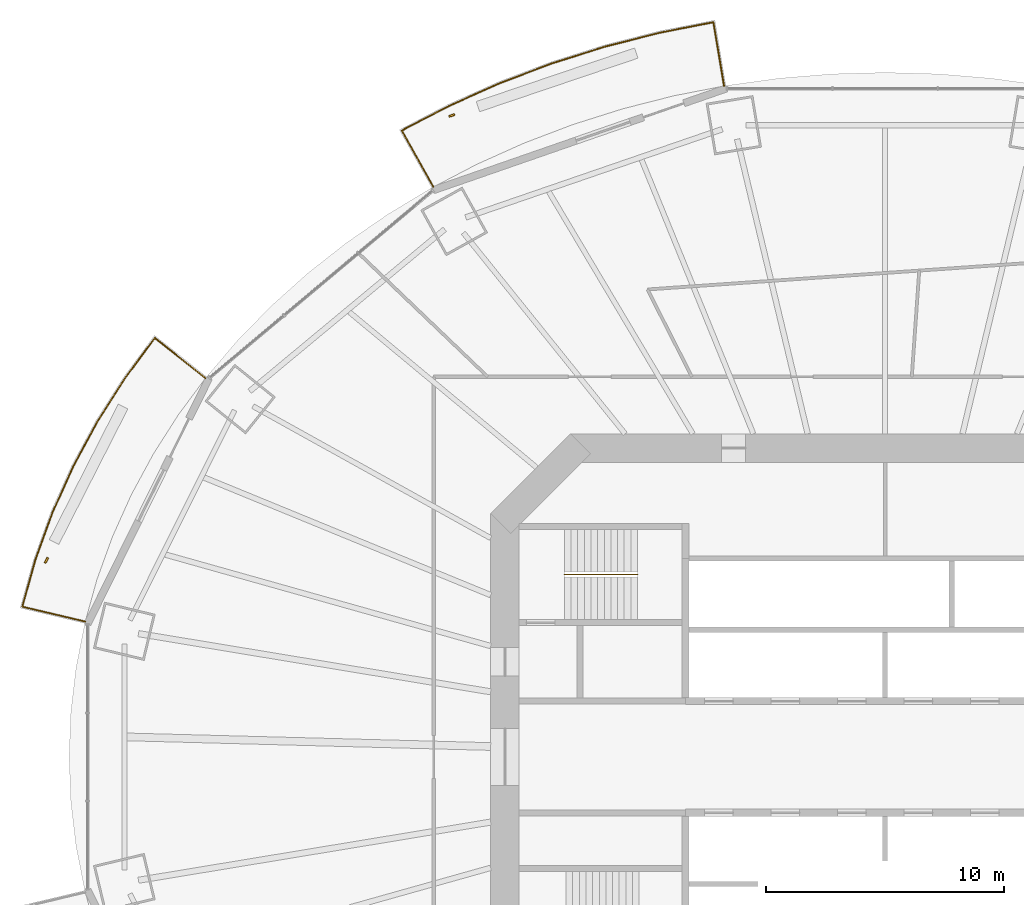
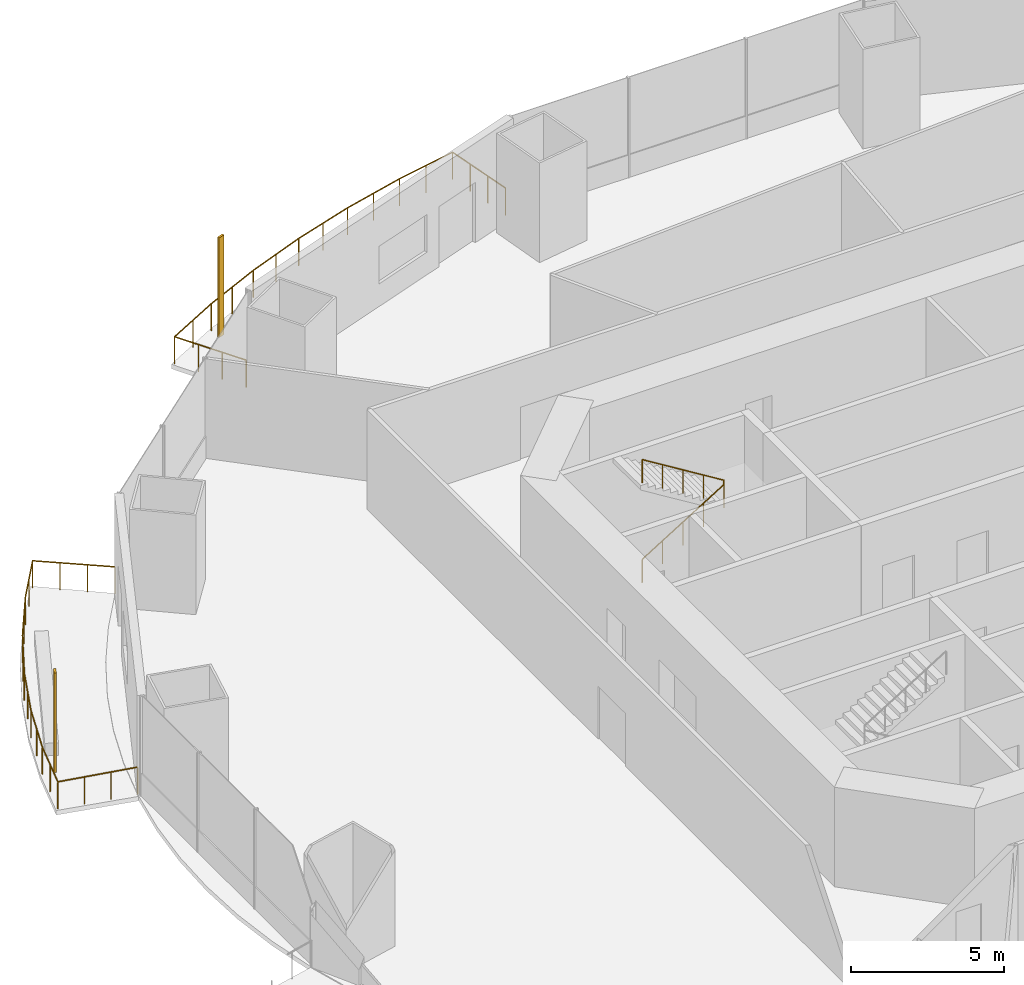
# One storey, part 19 of 22: 3 railings, 2 shading devices.
"""IFC4 building model written with IfcOpenShell, lengths in metres."""

from ifc_helpers import new_model, si_unit, direction, frame, origin, origin_2d, place, context, subcontext, project, spatial, rectangle, circle, extrude, material, material_profile, profile_set, type_object, element, save


model = new_model("IFC4")

# Units and contexts
model_context = context("Model", 3, precision=1e-05, world=origin(), true_north=direction((0.0, 1.0)))
body_context = subcontext(model_context, "Body", "Model", "MODEL_VIEW")
ifc_project = project(units=[si_unit("LENGTHUNIT", "METRE"), si_unit("AREAUNIT", "SQUARE_METRE"), si_unit("VOLUMEUNIT", "CUBIC_METRE"), si_unit("PLANEANGLEUNIT", "RADIAN"), si_unit("MASSUNIT", "GRAM", prefix="KILO")], contexts=[model_context])

# Site, building, storey
site_placement = place(None, origin())
site = spatial("IfcSite", under=ifc_project, at=site_placement, CompositionType="ELEMENT")
building_placement = place(site_placement, origin())
building = spatial("IfcBuilding", under=site, at=building_placement, Name="Marenthal Gate Tower", CompositionType="ELEMENT")
storey_placement = place(building_placement, frame((0.0, 0.0, 116.0)))
storey = spatial("IfcBuildingStorey", under=building, at=storey_placement, Name="L24", CompositionType="ELEMENT", Elevation=116.0)

# Railings
ifc_material_1 = material(Name="Stainless steel", Category="steel")
railing_type_1 = type_object("IfcRailingType", Name="Balcony guard 1100", PredefinedType="GUARDRAIL", material=ifc_material_1)
railing_1_placement = place(storey_placement, frame((-19.01171875, 23.9921875, 0.0)))
element("IfcRailing", 1, at=railing_1_placement, inside=storey, type_object=railing_type_1, Name="Balcony guard L24 bay 5", PredefinedType="GUARDRAIL", context=body_context, shape_type="SweptSolid", body=[
    extrude(circle(Radius=0.02392578125, at=origin_2d()), frame((0.0, 0.0, 1.076171875), z_axis=(-0.489197979897, 0.87204857286, -0.014718119373), x_axis=(-0.872143041114, -0.489250974283, 0.0)), (0.0, 0.0, 1.0), 2.720458984375),
    extrude(circle(Radius=0.02392578125, at=origin_2d()), frame((-1.330810546875, 2.372314453125, 1.0361328125), z_axis=(0.887125590865, 0.461528098855, 0.0), x_axis=(-0.461528098855, 0.887125590865, 0.0)), (0.0, 0.0, 1.0), 2.235595703125),
    extrude(circle(Radius=0.02392578125, at=origin_2d()), frame((0.65234375, 3.404052734375, 1.0361328125), z_axis=(0.912494502903, 0.409088966083, 0.0), x_axis=(-0.409088966083, 0.912494502903, 0.0)), (0.0, 0.0, 1.0), 2.332275390625),
    extrude(circle(Radius=0.02392578125, at=origin_2d()), frame((2.780517578125, 4.358154296875, 1.0361328125), z_axis=(0.934764240257, 0.35526865206, 0.0), x_axis=(-0.35526865206, 0.934764240257, 0.0)), (0.0, 0.0, 1.0), 2.347412109375),
    extrude(circle(Radius=0.02392578125, at=origin_2d()), frame((4.974853515625, 5.192138671875, 1.0361328125), z_axis=(0.953609232067, 0.30104722639, 0.0), x_axis=(-0.30104722639, 0.953609232067, 0.0)), (0.0, 0.0, 1.0), 2.36083984375),
    extrude(circle(Radius=0.02392578125, at=origin_2d()), frame((7.22607421875, 5.90283203125, 1.0361328125), z_axis=(0.969104776695, 0.246649410675, 0.0), x_axis=(-0.246649410675, 0.969104776695, 0.0)), (0.0, 0.0, 1.0), 2.37255859375),
    extrude(circle(Radius=0.02392578125, at=origin_2d()), frame((9.525390625, 6.488037109375, 1.0361328125), z_axis=(0.981215853429, 0.192913060677, 0.0), x_axis=(-0.192913060677, 0.981215853429, 0.0)), (0.0, 0.0, 1.0), 2.302001953125),
    extrude(circle(Radius=0.02392578125, at=origin_2d()), frame((11.7841796875, 6.93212890625, 1.0361328125), z_axis=(0.164686797849, -0.986236088047, 0.014718602097), x_axis=(0.986342933143, 0.164704639396, 0.0)), (0.0, 0.0, 1.0), 2.72021484375),
    extrude(circle(Radius=0.02099609375, at=origin_2d()), origin(), (0.0, 0.0, 1.0), 1.052001953125),
    extrude(circle(Radius=0.02099609375, at=origin_2d()), frame((-0.443603515625, 0.790771484375, -0.013427734375)), (0.0, 0.0, 1.0), 1.052001953125),
    extrude(circle(Radius=0.02099609375, at=origin_2d()), frame((-0.88720703125, 1.58154296875, -0.026611328125)), (0.0, 0.0, 1.0), 1.052001953125),
    extrude(circle(Radius=0.02099609375, at=origin_2d()), frame((-1.330810546875, 2.372314453125, -0.0400390625)), (0.0, 0.0, 1.0), 1.052001953125),
    extrude(circle(Radius=0.02099609375, at=origin_2d()), frame((-0.33935546875, 2.88818359375, -0.0400390625)), (0.0, 0.0, 1.0), 1.052001953125),
    extrude(circle(Radius=0.02099609375, at=origin_2d()), frame((0.65234375, 3.404052734375, -0.0400390625)), (0.0, 0.0, 1.0), 1.052001953125),
    extrude(circle(Radius=0.02099609375, at=origin_2d()), frame((1.71630859375, 3.881103515625, -0.0400390625)), (0.0, 0.0, 1.0), 1.052001953125),
    extrude(circle(Radius=0.02099609375, at=origin_2d()), frame((2.780517578125, 4.358154296875, -0.0400390625)), (0.0, 0.0, 1.0), 1.052001953125),
    extrude(circle(Radius=0.02099609375, at=origin_2d()), frame((3.877685546875, 4.775146484375, -0.0400390625)), (0.0, 0.0, 1.0), 1.052001953125),
    extrude(circle(Radius=0.02099609375, at=origin_2d()), frame((4.974853515625, 5.192138671875, -0.0400390625)), (0.0, 0.0, 1.0), 1.052001953125),
    extrude(circle(Radius=0.02099609375, at=origin_2d()), frame((6.1005859375, 5.54736328125, -0.0400390625)), (0.0, 0.0, 1.0), 1.052001953125),
    extrude(circle(Radius=0.02099609375, at=origin_2d()), frame((7.22607421875, 5.90283203125, -0.0400390625)), (0.0, 0.0, 1.0), 1.052001953125),
    extrude(circle(Radius=0.02099609375, at=origin_2d()), frame((8.375732421875, 6.1953125, -0.0400390625)), (0.0, 0.0, 1.0), 1.052001953125),
    extrude(circle(Radius=0.02099609375, at=origin_2d()), frame((9.525390625, 6.488037109375, -0.0400390625)), (0.0, 0.0, 1.0), 1.052001953125),
    extrude(circle(Radius=0.02099609375, at=origin_2d()), frame((10.65478515625, 6.7099609375, -0.0400390625)), (0.0, 0.0, 1.0), 1.052001953125),
    extrude(circle(Radius=0.02099609375, at=origin_2d()), frame((11.7841796875, 6.93212890625, -0.0400390625)), (0.0, 0.0, 1.0), 1.052001953125),
    extrude(circle(Radius=0.02099609375, at=origin_2d()), frame((11.93359375, 6.037841796875, -0.026611328125)), (0.0, 0.0, 1.0), 1.052001953125),
    extrude(circle(Radius=0.02099609375, at=origin_2d()), frame((12.082763671875, 5.1435546875, -0.013427734375)), (0.0, 0.0, 1.0), 1.052001953125),
    extrude(circle(Radius=0.02099609375, at=origin_2d()), frame((12.232177734375, 4.249267578125, 0.0)), (0.0, 0.0, 1.0), 1.052001953125),
])
railing_2_placement = place(storey_placement, frame((-33.667724609375, 5.697998046875, 0.0)))
element("IfcRailing", 2, at=railing_2_placement, inside=storey, type_object=railing_type_1, Name="Balcony guard L24 bay 7", PredefinedType="GUARDRAIL", context=body_context, shape_type="SweptSolid", body=[
    extrude(circle(Radius=0.02392578125, at=origin_2d()), frame((0.0, 0.0, 1.076171875), z_axis=(-0.972946801612, 0.230559942195, -0.014718501565), x_axis=(-0.230584919848, -0.973052205557, 0.0)), (0.0, 0.0, 1.0), 2.72021484375),
    extrude(circle(Radius=0.02392578125, at=origin_2d()), frame((-2.646728515625, 0.627197265625, 1.0361328125), z_axis=(0.269340401915, 0.963045039391, 0.0), x_axis=(-0.963045039391, 0.269340401915, 0.0)), (0.0, 0.0, 1.0), 2.033203125),
    extrude(circle(Radius=0.02392578125, at=origin_2d()), frame((-2.09912109375, 2.585205078125, 1.0361328125), z_axis=(0.340071165829, 0.940399703409, 0.0), x_axis=(-0.940399703409, 0.340071165829, 0.0)), (0.0, 0.0, 1.0), 2.122802734375),
    extrude(circle(Radius=0.02392578125, at=origin_2d()), frame((-1.377197265625, 4.58154296875, 1.0361328125), z_axis=(0.40931851754, 0.912391555857, 0.0), x_axis=(-0.912391555857, 0.40931851754, 0.0)), (0.0, 0.0, 1.0), 2.13525390625),
    extrude(circle(Radius=0.02392578125, at=origin_2d()), frame((-0.503173828125, 6.52978515625, 1.0361328125), z_axis=(0.475203433283, 0.87987595546, 0.0), x_axis=(-0.87987595546, 0.475203433283, 0.0)), (0.0, 0.0, 1.0), 2.149658203125),
    extrude(circle(Radius=0.02392578125, at=origin_2d()), frame((0.518310546875, 8.421142578125, 1.0361328125), z_axis=(0.537437089424, 0.843303844953, 0.0), x_axis=(-0.843303844953, 0.537437089424, 0.0)), (0.0, 0.0, 1.0), 2.16552734375),
    extrude(circle(Radius=0.02392578125, at=origin_2d()), frame((1.68212890625, 10.247314453125, 1.0361328125), z_axis=(0.594374737218, 0.804188206676, 0.0), x_axis=(-0.804188206676, 0.594374737218, 0.0)), (0.0, 0.0, 1.0), 2.1025390625),
    extrude(circle(Radius=0.02392578125, at=origin_2d()), frame((2.931884765625, 11.938232421875, 1.0361328125), z_axis=(0.78234035398, -0.622677225641, 0.014718804411), x_axis=(0.622744685996, 0.782425112112, 0.0)), (0.0, 0.0, 1.0), 2.72021484375),
    extrude(circle(Radius=0.02099609375, at=origin_2d()), origin(), (0.0, 0.0, 1.0), 1.052001953125),
    extrude(circle(Radius=0.02099609375, at=origin_2d()), frame((-0.88232421875, 0.208984375, -0.013427734375)), (0.0, 0.0, 1.0), 1.052001953125),
    extrude(circle(Radius=0.02099609375, at=origin_2d()), frame((-1.764404296875, 0.418212890625, -0.026611328125)), (0.0, 0.0, 1.0), 1.052001953125),
    extrude(circle(Radius=0.02099609375, at=origin_2d()), frame((-2.646728515625, 0.627197265625, -0.0400390625)), (0.0, 0.0, 1.0), 1.052001953125),
    extrude(circle(Radius=0.02099609375, at=origin_2d()), frame((-2.373046875, 1.606201171875, -0.0400390625)), (0.0, 0.0, 1.0), 1.052001953125),
    extrude(circle(Radius=0.02099609375, at=origin_2d()), frame((-2.09912109375, 2.585205078125, -0.0400390625)), (0.0, 0.0, 1.0), 1.052001953125),
    extrude(circle(Radius=0.02099609375, at=origin_2d()), frame((-1.73828125, 3.58349609375, -0.0400390625)), (0.0, 0.0, 1.0), 1.052001953125),
    extrude(circle(Radius=0.02099609375, at=origin_2d()), frame((-1.377197265625, 4.58154296875, -0.0400390625)), (0.0, 0.0, 1.0), 1.052001953125),
    extrude(circle(Radius=0.02099609375, at=origin_2d()), frame((-0.940185546875, 5.5556640625, -0.0400390625)), (0.0, 0.0, 1.0), 1.052001953125),
    extrude(circle(Radius=0.02099609375, at=origin_2d()), frame((-0.503173828125, 6.52978515625, -0.0400390625)), (0.0, 0.0, 1.0), 1.052001953125),
    extrude(circle(Radius=0.02099609375, at=origin_2d()), frame((0.007568359375, 7.4755859375, -0.0400390625)), (0.0, 0.0, 1.0), 1.052001953125),
    extrude(circle(Radius=0.02099609375, at=origin_2d()), frame((0.518310546875, 8.421142578125, -0.0400390625)), (0.0, 0.0, 1.0), 1.052001953125),
    extrude(circle(Radius=0.02099609375, at=origin_2d()), frame((1.10009765625, 9.334228515625, -0.0400390625)), (0.0, 0.0, 1.0), 1.052001953125),
    extrude(circle(Radius=0.02099609375, at=origin_2d()), frame((1.68212890625, 10.247314453125, -0.0400390625)), (0.0, 0.0, 1.0), 1.052001953125),
    extrude(circle(Radius=0.02099609375, at=origin_2d()), frame((2.30712890625, 11.0927734375, -0.0400390625)), (0.0, 0.0, 1.0), 1.052001953125),
    extrude(circle(Radius=0.02099609375, at=origin_2d()), frame((2.931884765625, 11.938232421875, -0.0400390625)), (0.0, 0.0, 1.0), 1.052001953125),
    extrude(circle(Radius=0.02099609375, at=origin_2d()), frame((3.641357421875, 11.37353515625, -0.026611328125)), (0.0, 0.0, 1.0), 1.052001953125),
    extrude(circle(Radius=0.02099609375, at=origin_2d()), frame((4.3505859375, 10.80908203125, -0.013427734375)), (0.0, 0.0, 1.0), 1.052001953125),
    extrude(circle(Radius=0.02099609375, at=origin_2d()), frame((5.06005859375, 10.244384765625, 0.0)), (0.0, 0.0, 1.0), 1.052001953125),
])
ifc_material_2 = material(Name="Stainless steel", Category="steel")
railing_type_2 = type_object("IfcRailingType", Name="Stair handrail", PredefinedType="HANDRAIL", material=ifc_material_2)
railing_3_placement = place(storey_placement, frame((-13.5, 7.675048828125, 0.1728515625)))
element("IfcRailing", 3, at=railing_3_placement, inside=storey, type_object=railing_type_2, Name="Handrail ST1", PredefinedType="HANDRAIL", context=body_context, shape_type="SweptSolid", body=[
    extrude(circle(Radius=0.0224609375, at=origin_2d()), frame((0.0, 0.0, 0.927490234375), z_axis=(0.850835241893, 0.0, 0.525432575268), x_axis=(0.0, 1.0, 0.0)), (0.0, 0.0, 1.0), 3.6201171875),
    extrude(circle(Radius=0.0224609375, at=origin_2d()), frame((3.080078125, 0.0, 2.82958984375), z_axis=(0.0, 0.0, 1.0), x_axis=(1.0, 0.0, 0.0)), (0.0, 0.0, 1.0), 0.1728515625),
    extrude(circle(Radius=0.0224609375, at=origin_2d()), frame((3.080078125, 0.0, 3.00244140625), z_axis=(-0.850835241893, 0.0, 0.525432575268), x_axis=(0.0, -1.0, 0.0)), (0.0, 0.0, 1.0), 3.6201171875),
    extrude(circle(Radius=0.02001953125, at=origin_2d()), origin(), (0.0, 0.0, 1.0), 0.905029296875),
    extrude(circle(Radius=0.02001953125, at=origin_2d()), frame((0.77001953125, 0.0, 0.4755859375)), (0.0, 0.0, 1.0), 0.905029296875),
    extrude(circle(Radius=0.02001953125, at=origin_2d()), frame((1.5400390625, 0.0, 0.951171875)), (0.0, 0.0, 1.0), 0.905029296875),
    extrude(circle(Radius=0.02001953125, at=origin_2d()), frame((2.31005859375, 0.0, 1.426513671875)), (0.0, 0.0, 1.0), 0.905029296875),
    extrude(circle(Radius=0.02001953125, at=origin_2d()), frame((3.080078125, 0.0, 1.902099609375)), (0.0, 0.0, 1.0), 0.905029296875),
    extrude(circle(Radius=0.02001953125, at=origin_2d()), frame((3.080078125, 0.0, 2.074951171875)), (0.0, 0.0, 1.0), 0.905029296875),
    extrude(circle(Radius=0.02001953125, at=origin_2d()), frame((2.31005859375, 0.0, 2.550537109375)), (0.0, 0.0, 1.0), 0.905029296875),
    extrude(circle(Radius=0.02001953125, at=origin_2d()), frame((1.5400390625, 0.0, 3.02587890625)), (0.0, 0.0, 1.0), 0.905029296875),
    extrude(circle(Radius=0.02001953125, at=origin_2d()), frame((0.77001953125, 0.0, 3.50146484375)), (0.0, 0.0, 1.0), 0.905029296875),
    extrude(circle(Radius=0.02001953125, at=origin_2d()), frame((0.0, 0.0, 3.97705078125)), (0.0, 0.0, 1.0), 0.905029296875),
])

# Shading devices
ifc_material_3 = material(Name="Terracotta", Category="masonry")
ifc_material_profile = material_profile(ifc_material_3, rectangle(XDim=0.25, YDim=0.080078125, at=origin_2d()), Name="Terracotta baguette 250x80")
ifc_profile_set = profile_set([ifc_material_profile], Name="Terracotta")
shading_device_type = type_object("IfcShadingDeviceType", Name="Terracotta BAGUETTE SCREEN 250x80", PredefinedType="USERDEFINED", material=ifc_profile_set)
for number, where, z_axis, x_axis, name in (
    (4, (-18.238037109375, 26.999267578125, -0.0400390625), (0.0, 0.0, 1.0), (-0.94459732274, -0.328231469959, 0.0), "Terracotta BAGUETTE L24 bay 5R"),
    (5, (-35.300048828125, 8.2734375, -0.0400390625), (0.0, 0.0, 1.0), (-0.442731257123, -0.896654355907, 0.0), "Terracotta BAGUETTE L24 bay 7R"),
):
    element("IfcShadingDevice", number, at=place(storey_placement, frame(where, z_axis=z_axis, x_axis=x_axis)), inside=storey, type_object=shading_device_type, Name=name, ObjectType="BAGUETTE SCREEN", PredefinedType="USERDEFINED", context=body_context, shape_type="SweptSolid", body=[
        extrude(rectangle(XDim=0.25, YDim=0.080078125, at=origin_2d()), origin(), (0.0, 0.0, 1.0), 3.969970703125),
    ])

save(model, "model.ifc")
